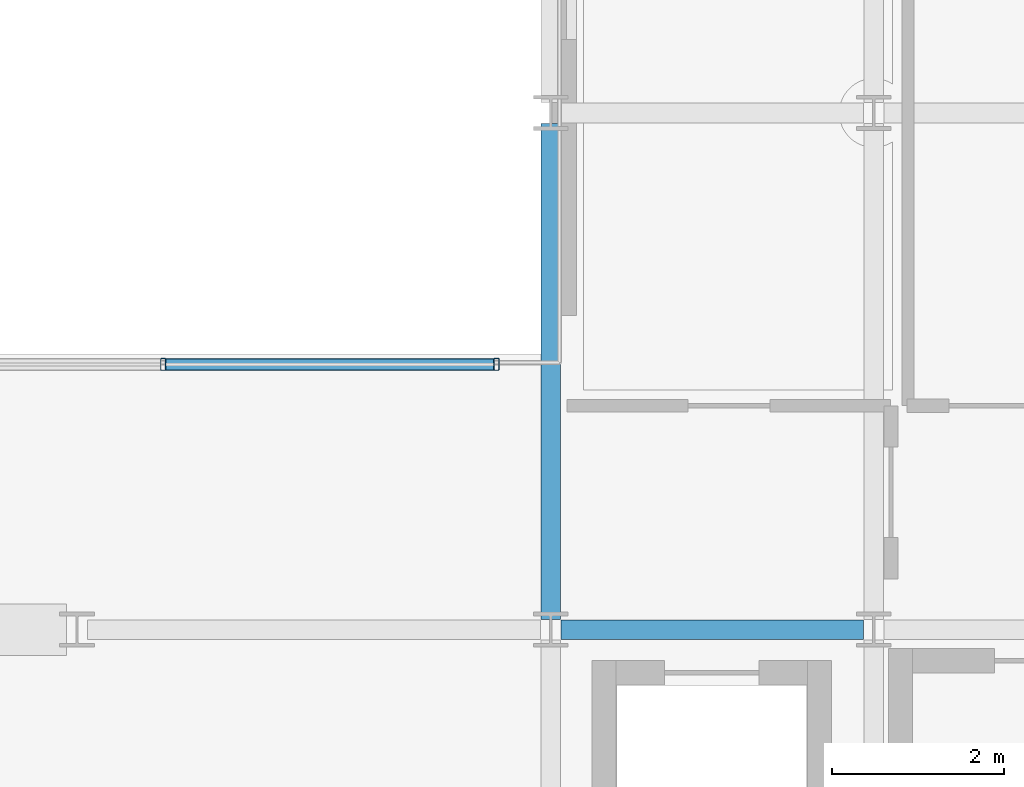
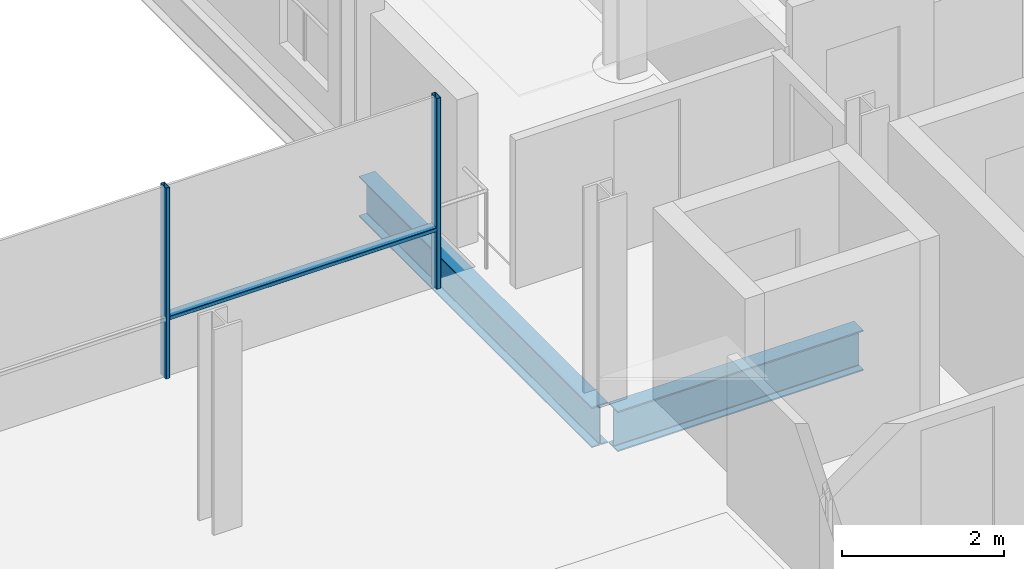
# One storey, part 15 of 40: 3 members, 2 beams, 1 element without a shape of its own.
"""IFC4 building model written with IfcOpenShell, lengths in metres."""

from ifc_helpers import new_model, si_unit, direction, frame, origin, origin_2d, place, context, subcontext, project, spatial, hollow_rectangle, i_section, extrude, material, layer, layer_set, material_profile, profile_set, type_object, element, aggregate, save


model = new_model("IFC4")

# Units and contexts
model_context = context("Model", 3, precision=1e-05, world=origin(), true_north=direction((0.0, 1.0)))
body_context = subcontext(model_context, "Body", "Model", "MODEL_VIEW")
ifc_project = project(units=[si_unit("LENGTHUNIT", "METRE"), si_unit("AREAUNIT", "SQUARE_METRE"), si_unit("VOLUMEUNIT", "CUBIC_METRE"), si_unit("PLANEANGLEUNIT", "RADIAN"), si_unit("MASSUNIT", "GRAM", prefix="KILO")], contexts=[model_context])

# Site, building, storey
site_placement = place(None, origin())
site = spatial("IfcSite", under=ifc_project, at=site_placement, CompositionType="ELEMENT")
building_placement = place(site_placement, origin())
building = spatial("IfcBuilding", under=site, at=building_placement, Name="Brevholm Reach", CompositionType="ELEMENT")
storey_placement = place(building_placement, frame((0.0, 0.0, 148.0)))
storey = spatial("IfcBuildingStorey", under=building, at=storey_placement, Name="L44", CompositionType="ELEMENT", Elevation=148.0)

# Beams
ifc_material_1 = material(Name="Structural Steel S355J2", Category="steel")
ifc_material_profile_1 = material_profile(ifc_material_1, i_section(OverallWidth=0.22900390625, OverallDepth=0.6123046875, WebThickness=0.011962890625, FlangeThickness=0.01953125, FilletRadius=0.0126953125, at=origin_2d()), Name="UKB 610x229x125")
ifc_profile_set_1 = profile_set([ifc_material_profile_1], Name="Structural Steel S355J2")
beam_type = type_object("IfcBeamType", Name="BM-SP610", PredefinedType="SPANDREL", material=ifc_profile_set_1)
beam_1_placement = place(storey_placement, frame((38.3701171875, 10.0, -0.526123046875), z_axis=(1.0, 0.0, 0.0), x_axis=(0.0, 1.0, 0.0)))
element("IfcBeam", 1, at=beam_1_placement, inside=storey, type_object=beam_type, Name="L44 SP-01 Framing Beam", PredefinedType="SPANDREL", context=body_context, shape_type="SweptSolid", body=[
    extrude(i_section(OverallWidth=0.22900390625, OverallDepth=0.6123046875, WebThickness=0.011962890625, FlangeThickness=0.01953125, FilletRadius=0.0126953125, at=origin_2d()), origin(), (0.0, 0.0, 1.0), 3.509765625),
])
beam_2_placement = place(storey_placement, frame((38.25, 10.1201171875, -0.526123046875), z_axis=(0.0, 1.0, 0.0), x_axis=(-1.0, 0.0, 0.0)))
element("IfcBeam", 2, at=beam_2_placement, inside=storey, type_object=beam_type, Name="L44 SP-01 Framing Beam", PredefinedType="SPANDREL", context=body_context, shape_type="SweptSolid", body=[
    extrude(i_section(OverallWidth=0.22900390625, OverallDepth=0.6123046875, WebThickness=0.011962890625, FlangeThickness=0.01953125, FilletRadius=0.0126953125, at=origin_2d()), origin(), (0.0, 0.0, 1.0), 5.759765625),
])

# Curtain wall, members
ifc_material_2 = material(Name="Dark Anodised Aluminium 6063-T6 and Solar-Control Glass", Category="aluminium")
ifc_layer = layer(ifc_material_2, 0.139892578125)
ifc_layer_set = layer_set([ifc_layer], Name="Dark Anodised Aluminium 6063-T6 and Solar-Control Glass")
curtain_wall_type = type_object("IfcCurtainWallType", Name="CW-02", PredefinedType="NOTDEFINED", material=ifc_layer_set)
curtain_wall_placement = place(storey_placement, origin())
curtain_wall = element("IfcCurtainWall", 3, at=curtain_wall_placement, inside=storey, type_object=curtain_wall_type, Name="L44 Curtain Wall CW-02", PredefinedType="NOTDEFINED")
ifc_material_3 = material(Name="Dark Anodised Aluminium 6063-T6", Category="aluminium")
ifc_material_profile_2 = material_profile(ifc_material_3, hollow_rectangle(XDim=0.06005859375, YDim=0.139892578125, WallThickness=0.0048828125, InnerFilletRadius=0.0048828125, OuterFilletRadius=0.010009765625, at=origin_2d()), Name="RHS 140x60x5")
ifc_profile_set_2 = profile_set([ifc_material_profile_2], Name="Dark Anodised Aluminium 6063-T6")
member_type_1 = type_object("IfcMemberType", Name="CWM-140", PredefinedType="MULLION", material=ifc_profile_set_2)
member_1_placement = place(storey_placement, frame((33.75, 13.080078125, 0.0), z_axis=(0.0, 0.0, 1.0), x_axis=(1.0, 0.0, 0.0)))
member_1 = element("IfcMember", 4, at=member_1_placement, type_object=member_type_1, Name="CM-140 Mullion 4", PredefinedType="MULLION", context=body_context, shape_type="SweptSolid", body=[
    extrude(hollow_rectangle(XDim=0.06005859375, YDim=0.139892578125, WallThickness=0.0048828125, InnerFilletRadius=0.0048828125, OuterFilletRadius=0.010009765625, at=origin_2d()), origin(), (0.0, 0.0, 1.0), 2.8798828125),
])
member_2_placement = place(storey_placement, frame((37.6201171875, 13.080078125, 0.0), z_axis=(0.0, 0.0, 1.0), x_axis=(1.0, 0.0, 0.0)))
member_2 = element("IfcMember", 5, at=member_2_placement, type_object=member_type_1, Name="CM-140 Mullion 5", PredefinedType="MULLION", context=body_context, shape_type="SweptSolid", body=[
    extrude(hollow_rectangle(XDim=0.06005859375, YDim=0.139892578125, WallThickness=0.0048828125, InnerFilletRadius=0.0048828125, OuterFilletRadius=0.010009765625, at=origin_2d()), origin(), (0.0, 0.0, 1.0), 2.8798828125),
])
ifc_material_4 = material(Name="Dark Anodised Aluminium 6063-T6", Category="aluminium")
ifc_material_profile_3 = material_profile(ifc_material_4, hollow_rectangle(XDim=0.06005859375, YDim=0.139892578125, WallThickness=0.0048828125, InnerFilletRadius=0.0048828125, OuterFilletRadius=0.010009765625, at=origin_2d()), Name="RHS 140x60x5")
ifc_profile_set_3 = profile_set([ifc_material_profile_3], Name="Dark Anodised Aluminium 6063-T6")
member_type_2 = type_object("IfcMemberType", Name="CWT-140", PredefinedType="NOTDEFINED", material=ifc_profile_set_3)
member_3_placement = place(storey_placement, frame((33.780029296875, 13.080078125, 0.89990234375), z_axis=(1.0, 0.0, 0.0), x_axis=(0.0, 0.0, 1.0)))
member_3 = element("IfcMember", 6, at=member_3_placement, type_object=member_type_2, Name="CT-140 Transom 4.1", ObjectType="TRANSOM", PredefinedType="USERDEFINED", context=body_context, shape_type="SweptSolid", body=[
    extrude(hollow_rectangle(XDim=0.06005859375, YDim=0.139892578125, WallThickness=0.0048828125, InnerFilletRadius=0.0048828125, OuterFilletRadius=0.010009765625, at=origin_2d()), origin(), (0.0, 0.0, 1.0), 3.81005859375),
])
aggregate(curtain_wall, [member_1, member_2, member_3])

save(model, "model.ifc")
